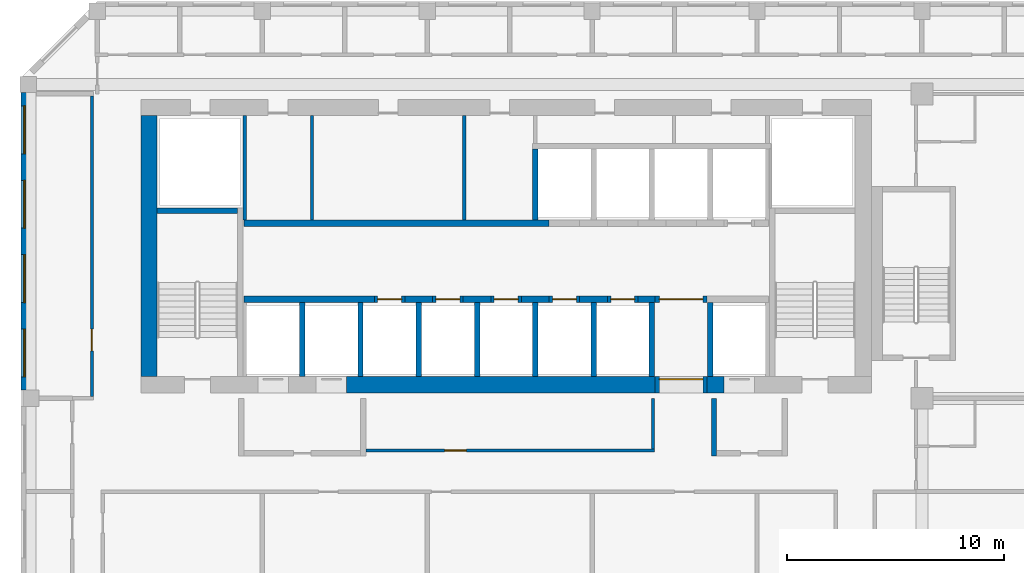
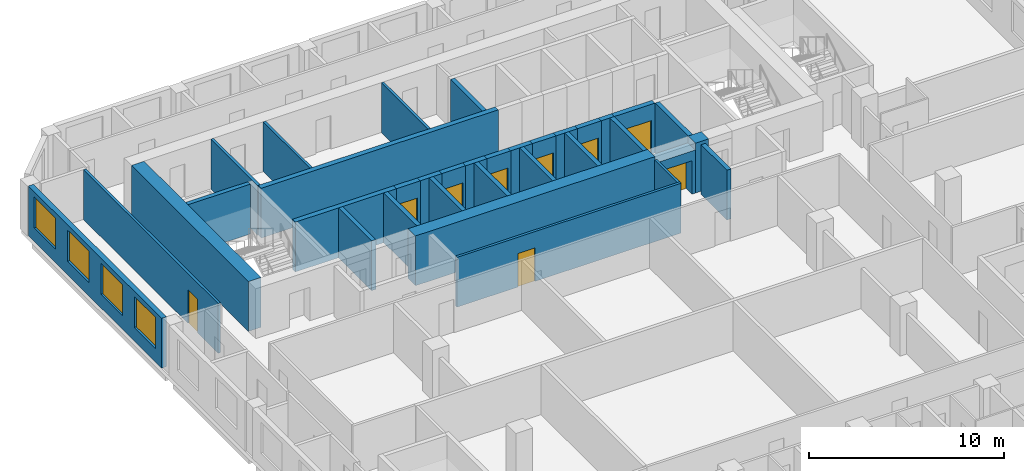
# One storey, part 7 of 22: 35 walls, 9 doors, 4 windows, 13 openings.
"""IFC4 building model written with IfcOpenShell, lengths in metres."""

import ifcopenshell
import ifcopenshell.guid

model = None  # the IFC model being written
_history = None  # IfcOwnerHistory: only IFC2X3 demands one
_inside = {}  # id of a spatial element -> (the spatial element, [elements in it])
_under = {}  # id of a project, library or spatial element -> (it, [spatial elements below it])
_declared = {}  # id of a project -> (the project, [libraries it declares])
_typed = {}  # id of a type object -> (the type object, [elements of that type])
_made_of = {}  # id of a material, layer set ... -> (it, [elements and type objects made of it])


def new_model(schema):
    """Start an empty IFC model of exactly this schema.

    Asked for "IFC4X3", IfcOpenShell would pick the latest addendum, in which some entities
    have other attributes; the version numbers below select the first issue.
    IFC2X3 requires an IfcOwnerHistory on every rooted entity: one is made here for all.
    """
    global model, _history
    if schema == "IFC4X3":
        model = ifcopenshell.file(schema_version=(4, 3, 0, 0))
    else:
        model = ifcopenshell.file(schema=schema)
    _inside.clear()
    _under.clear()
    _declared.clear()
    _typed.clear()
    _made_of.clear()
    _history = None
    if model.schema == "IFC2X3":
        org = make("IfcOrganization", Name="unknown")
        user = make(
            "IfcPersonAndOrganization",
            ThePerson=make("IfcPerson", FamilyName="unknown"),
            TheOrganization=org,
        )
        app = make(
            "IfcApplication",
            ApplicationDeveloper=org,
            Version="unknown",
            ApplicationFullName="unknown",
            ApplicationIdentifier="unknown",
        )
        _history = make(
            "IfcOwnerHistory",
            OwningUser=user,
            OwningApplication=app,
            ChangeAction="ADDED",
            CreationDate=0,
        )
    return model


def make(cls, **values):
    """One entity of the class cls with the attributes given. An attribute that is None is left unset."""
    return model.create_entity(
        cls, **{name: value for name, value in values.items() if value is not None}
    )


def rooted(cls, **values):
    """An entity with a GlobalId (a new one), such as an element, a storey or a relation."""
    return make(cls, GlobalId=ifcopenshell.guid.new(), OwnerHistory=_history, **values)


def si_unit(unit_type, name, prefix=None):
    """IfcSIUnit, for example si_unit("LENGTHUNIT", "METRE", prefix="MILLI")."""
    return make("IfcSIUnit", UnitType=unit_type, Prefix=prefix, Name=name)


def assignment(units):
    """IfcUnitAssignment: the units of a project."""
    return None if units is None else make("IfcUnitAssignment", Units=units)


def point(xyz):
    """IfcCartesianPoint."""
    return None if xyz is None else make("IfcCartesianPoint", Coordinates=xyz)


def direction(xyz):
    """IfcDirection."""
    return None if xyz is None else make("IfcDirection", DirectionRatios=xyz)


def frame(location, z_axis=None, x_axis=None):
    """IfcAxis2Placement3D, a coordinate frame: its origin and axes. An axis left out is left unset."""
    return make(
        "IfcAxis2Placement3D",
        Location=point(location),
        Axis=direction(z_axis),
        RefDirection=direction(x_axis),
    )


def frame_2d(location, x_axis=None):
    """IfcAxis2Placement2D, a coordinate frame in the plane: its origin and x axis."""
    return make(
        "IfcAxis2Placement2D", Location=point(location), RefDirection=direction(x_axis)
    )


def origin():
    """The frame at (0, 0, 0) with its axes left unset."""
    return frame((0.0, 0.0, 0.0))


def place(relative_to, where):
    """IfcLocalPlacement: puts the frame where relative to a parent placement (None: the world)."""
    return make(
        "IfcLocalPlacement", PlacementRelTo=relative_to, RelativePlacement=where
    )


def context(
    kind, dimensions, precision=None, world=None, true_north=None, identifier=None
):
    """IfcGeometricRepresentationContext, for example the 3D "Model" context."""
    return make(
        "IfcGeometricRepresentationContext",
        ContextIdentifier=identifier,
        ContextType=kind,
        CoordinateSpaceDimension=dimensions,
        Precision=precision,
        WorldCoordinateSystem=world,
        TrueNorth=true_north,
    )


def subcontext(parent, identifier, kind, view, scale=None):
    """IfcGeometricRepresentationSubContext, for example "Body" below "Model"."""
    return make(
        "IfcGeometricRepresentationSubContext",
        ContextIdentifier=identifier,
        ContextType=kind,
        ParentContext=parent,
        TargetScale=scale,
        TargetView=view,
    )


def project(units=None, contexts=None):
    """IfcProject with its units and contexts."""
    return rooted(
        "IfcProject",
        Name="project",
        RepresentationContexts=contexts,
        UnitsInContext=assignment(units),
    )


def spatial(cls, under=None, at=None, **own):
    """A site, building, storey or space (cls), placed at a placement, below another one or the project."""
    s = rooted(cls, ObjectPlacement=at, **own)
    if under is not None:
        _under.setdefault(under.id(), (under, []))[1].append(s)
    return s


def profile(cls, at=None, kind="AREA", **sizes):
    """A parametric profile (cls). Its sizes go by their IFC names, for example OverallWidth=200.0."""
    return make(cls, ProfileType=kind, Position=at, **sizes)


def rectangle(**sizes):
    """IfcRectangleProfileDef."""
    return profile("IfcRectangleProfileDef", **sizes)


def extrude(swept, where, along, depth):
    """IfcExtrudedAreaSolid: the profile swept, set in the frame where, extruded along a direction by depth."""
    return make(
        "IfcExtrudedAreaSolid",
        SweptArea=swept,
        Position=where,
        ExtrudedDirection=direction(along),
        Depth=depth,
    )


def shape(context_of_items, identifier, shape_type, items):
    """IfcShapeRepresentation: the items that make up one representation, for example the "Body"."""
    return make(
        "IfcShapeRepresentation",
        ContextOfItems=context_of_items,
        RepresentationIdentifier=identifier,
        RepresentationType=shape_type,
        Items=items,
    )


def source(mapping_origin, context_of_items, identifier, shape_type, items):
    """IfcRepresentationMap: a shape defined once, which mapped items show again and again."""
    return make(
        "IfcRepresentationMap",
        MappingOrigin=mapping_origin,
        MappedRepresentation=shape(context_of_items, identifier, shape_type, items),
    )


def transform(
    local_origin,
    x_axis=None,
    y_axis=None,
    z_axis=None,
    scale=None,
    scale2=None,
    scale3=None,
    uniform=True,
):
    """IfcCartesianTransformationOperator3D, or its non-uniform kind. x_axis, y_axis, z_axis: its Axis1, 2, 3."""
    if uniform:
        return make(
            "IfcCartesianTransformationOperator3D",
            Axis1=direction(x_axis),
            Axis2=direction(y_axis),
            LocalOrigin=point(local_origin),
            Scale=scale,
            Axis3=direction(z_axis),
        )
    return make(
        "IfcCartesianTransformationOperator3DnonUniform",
        Axis1=direction(x_axis),
        Axis2=direction(y_axis),
        LocalOrigin=point(local_origin),
        Scale=scale,
        Axis3=direction(z_axis),
        Scale2=scale2,
        Scale3=scale3,
    )


def mapped(mapping_source, mapping_target):
    """IfcMappedItem: shows the shape of a source again, moved by a transform."""
    return make(
        "IfcMappedItem", MappingSource=mapping_source, MappingTarget=mapping_target
    )


def material(Name=None, Category=None):
    """IfcMaterial."""
    return make("IfcMaterial", Name=Name, Category=Category)


def layer(
    of_material, thickness, ventilated=None, Name=None, Category=None, Priority=None
):
    """IfcMaterialLayer: one layer of a wall or slab, of a material (None: an air gap)."""
    return make(
        "IfcMaterialLayer",
        Material=of_material,
        LayerThickness=thickness,
        IsVentilated=ventilated,
        Name=Name,
        Category=Category,
        Priority=Priority,
    )


def layer_set(layers, Name=None):
    """IfcMaterialLayerSet."""
    return make("IfcMaterialLayerSet", MaterialLayers=layers, LayerSetName=Name)


def made_of(thing, what):
    """Note that an element or type object is made of a material, layer set ...; save() writes the relation."""
    if what is not None:
        _made_of.setdefault(what.id(), (what, []))[1].append(thing)
    return thing


def type_object(cls, material=None, **own):
    """A type object (cls), such as IfcWallType, which elements share."""
    return made_of(rooted(cls, **own), material)


def element(
    cls,
    number,
    at=None,
    inside=None,
    cuts=None,
    type_object=None,
    material=None,
    context=None,
    identifier="Body",
    shape_type=None,
    held_by="IfcProductDefinitionShape",
    body=None,
    shapes=None,
    **own,
):
    """One element of the class cls, such as IfcWall. Its Tag is "e" and its number.

    at: its placement. inside: the storey or other place that contains it. cuts: it is an
    opening in that element (IfcRelVoidsElement). A single representation is given by context,
    identifier, shape_type and body (its items); several are given by shapes. held_by: the class
    of the entity that holds the representations. save() writes the other relations.
    """
    e = rooted(cls, Tag="e%d" % number, ObjectPlacement=at, **own)
    if body is not None:
        shapes = [shape(context, identifier, shape_type, body)]
    if shapes is not None:
        e.Representation = make(held_by, Representations=shapes)
    if inside is not None:
        _inside.setdefault(inside.id(), (inside, []))[1].append(e)
    if cuts is not None:
        rooted(
            "IfcRelVoidsElement", RelatingBuildingElement=cuts, RelatedOpeningElement=e
        )
    if type_object is not None:
        _typed.setdefault(type_object.id(), (type_object, []))[1].append(e)
    return made_of(e, material)


def fill(opening, filler):
    """IfcRelFillsElement: the door or window that sits in an opening."""
    return rooted(
        "IfcRelFillsElement",
        RelatingOpeningElement=opening,
        RelatedBuildingElement=filler,
    )


def aggregate(whole, parts):
    """IfcRelAggregates: a whole, such as a stair, and the parts it consists of."""
    return rooted("IfcRelAggregates", RelatingObject=whole, RelatedObjects=parts)


def save(model, path):
    """Write the relations noted so far, then the file.

    IfcRelAggregates (storeys below a building ...), IfcRelContainedInSpatialStructure (elements
    in a storey), IfcRelDefinesByType, IfcRelAssociatesMaterial and IfcRelDeclares: one each for
    every whole, place, type object, material and project.
    """
    for whole, parts in _under.values():
        aggregate(whole, parts)
    for where, things in _inside.values():
        rooted(
            "IfcRelContainedInSpatialStructure",
            RelatedElements=things,
            RelatingStructure=where,
        )
    for kind, things in _typed.values():
        rooted("IfcRelDefinesByType", RelatedObjects=things, RelatingType=kind)
    for what, things in _made_of.values():
        rooted("IfcRelAssociatesMaterial", RelatedObjects=things, RelatingMaterial=what)
    for by, libraries in _declared.values():
        rooted("IfcRelDeclares", RelatingContext=by, RelatedDefinitions=libraries)
    model.write(path)


model = new_model("IFC4")

# Units and contexts
model_context = context("Model", 3, precision=1e-05, world=origin(), true_north=direction((0.0, 1.0)))
body_context = subcontext(model_context, "Body", "Model", "MODEL_VIEW")
ifc_project = project(units=[si_unit("LENGTHUNIT", "METRE"), si_unit("AREAUNIT", "SQUARE_METRE"), si_unit("VOLUMEUNIT", "CUBIC_METRE"), si_unit("PLANEANGLEUNIT", "RADIAN"), si_unit("MASSUNIT", "GRAM", prefix="KILO")], contexts=[model_context])

# Site, building, storey
site_placement = place(None, origin())
site = spatial("IfcSite", under=ifc_project, at=site_placement, CompositionType="ELEMENT")
building_placement = place(site_placement, origin())
building = spatial("IfcBuilding", under=site, at=building_placement, Name="Kilnfold Tower and Market Hall", CompositionType="ELEMENT")
storey_placement = place(building_placement, frame((0.0, 0.0, 206.699951171875)))
storey = spatial("IfcBuildingStorey", under=building, at=storey_placement, Name="L50", CompositionType="ELEMENT", Elevation=206.699951171875)

# Wall, opening, door
ifc_material_1 = material(Name="Gypsum board on steel studs", Category="steel")
ifc_layer_1 = layer(ifc_material_1, 0.14990234375)
ifc_layer_set_1 = layer_set([ifc_layer_1], Name="Gypsum board on steel studs")
wall_type_1 = type_object("IfcWallType", Name="WALL CORRIDOR 150", PredefinedType="PARTITIONING", material=ifc_layer_set_1)
wall_1_placement = place(storey_placement, frame((-18.0, 21.89990234375, 0.0), z_axis=(0.0, 0.0, 1.0), x_axis=(0.0, -1.0, 0.0)))
wall_1 = element("IfcWall", 1, at=wall_1_placement, inside=storey, type_object=wall_type_1, Name="Partition LY30.8", PredefinedType="PARTITIONING", context=body_context, shape_type="SweptSolid", body=[
    extrude(rectangle(XDim=13.824951171875, YDim=0.14990234375, at=frame_2d((6.91259765625, 0.0))), origin(), (0.0, 0.0, 1.0), 3.1201171875),
])
opening_1_placement = place(wall_1_placement, frame((10.720947265625, 0.0, 0.0)))
opening_1 = element("IfcOpeningElement", 2, at=opening_1_placement, cuts=wall_1, Name="Opening D4", PredefinedType="OPENING", context=body_context, shape_type="SweptSolid", body=[
    extrude(rectangle(XDim=1.0, YDim=2.10009765625, at=frame_2d((0.5, 1.050048828125))), frame((0.0, 0.0849609375, 0.0), z_axis=(0.0, -1.0, 0.0), x_axis=(1.0, 0.0, 0.0)), (0.0, 0.0, 1.0), 0.169921875),
])
ifc_material_2 = material(Name="Timber veneer door leaf in steel frame", Category="steel")
door_type_1 = type_object("IfcDoorType", Name="DOOR SERVICE 1000 X2100", OperationType="NOTDEFINED", PredefinedType="DOOR", material=ifc_material_2)
door_1_placement = place(opening_1_placement, origin())
door_1 = element("IfcDoor", 3, at=door_1_placement, inside=storey, type_object=door_type_1, Name="Door D4", OperationType="SINGLE_SWING_RIGHT", OverallHeight=2.10009765625, OverallWidth=1.0, PredefinedType="DOOR", context=body_context, shape_type="SweptSolid", body=[
    extrude(rectangle(XDim=1.0, YDim=2.10009765625, at=frame_2d((0.5, 1.050048828125))), frame((0.0, 0.02490234375, 0.0), z_axis=(0.0, -1.0, 0.0), x_axis=(1.0, 0.0, 0.0)), (0.0, 0.0, 1.0), 0.050048828125),
])
fill(opening_1, door_1)

wall_2_placement = place(storey_placement, frame((7.875, 5.60009765625, 0.0), z_axis=(0.0, 0.0, 1.0), x_axis=(-1.0, 0.0, 0.0)))
wall_2 = element("IfcWall", 4, at=wall_2_placement, inside=storey, type_object=wall_type_1, Name="Partition LY30.32", PredefinedType="PARTITIONING", context=body_context, shape_type="SweptSolid", body=[
    extrude(rectangle(XDim=13.27490234375, YDim=0.14990234375, at=frame_2d((6.637451171875, 0.0))), origin(), (0.0, 0.0, 1.0), 3.1201171875),
])
opening_2_placement = place(wall_2_placement, frame((8.653076171875, 0.0, 0.0)))
opening_2 = element("IfcOpeningElement", 5, at=opening_2_placement, cuts=wall_2, Name="Opening D1", PredefinedType="OPENING", context=body_context, shape_type="SweptSolid", body=[
    extrude(rectangle(XDim=1.0, YDim=2.10009765625, at=frame_2d((0.5, 1.050048828125))), frame((0.0, 0.0849609375, 0.0), z_axis=(0.0, -1.0, 0.0), x_axis=(1.0, 0.0, 0.0)), (0.0, 0.0, 1.0), 0.169921875),
])
ifc_material_3 = material(Name="Timber veneer door leaf in steel frame", Category="steel")
door_type_2 = type_object("IfcDoorType", Name="DOOR ENTRY 1000 X2100", OperationType="NOTDEFINED", PredefinedType="DOOR", material=ifc_material_3)
door_2_placement = place(opening_2_placement, origin())
door_2 = element("IfcDoor", 6, at=door_2_placement, inside=storey, type_object=door_type_2, Name="Door D1", OperationType="SINGLE_SWING_LEFT", OverallHeight=2.10009765625, OverallWidth=1.0, PredefinedType="DOOR", context=body_context, shape_type="SweptSolid", body=[
    extrude(rectangle(XDim=1.0, YDim=2.10009765625, at=frame_2d((0.5, 1.050048828125))), frame((0.0, 0.02490234375, 0.0), z_axis=(0.0, -1.0, 0.0), x_axis=(1.0, 0.0, 0.0)), (0.0, 0.0, 1.0), 0.050048828125),
])
fill(opening_2, door_2)

# Walls
wall_3_placement = place(storey_placement, frame((7.800048828125, 8.0, 0.0), z_axis=(0.0, 0.0, 1.0), x_axis=(0.0, -1.0, 0.0)))
element("IfcWall", 7, at=wall_3_placement, inside=storey, type_object=wall_type_1, Name="Partition LY30.33", PredefinedType="PARTITIONING", context=body_context, shape_type="SweptSolid", body=[
    extrude(rectangle(XDim=2.324951171875, YDim=0.14990234375, at=frame_2d((1.16259765625, 0.0))), origin(), (0.0, 0.0, 1.0), 3.1201171875),
])
ifc_material_4 = material(Name="Concrete C60", Category="concrete")
ifc_layer_2 = layer(ifc_material_4, 0.25)
ifc_layer_set_2 = layer_set([ifc_layer_2], Name="Concrete C60")
wall_type_2 = type_object("IfcWallType", Name="CORE WALL 250 C60", PredefinedType="SHEAR", material=ifc_layer_set_2)
shared_shape_1 = source(origin(), body_context, "Body", "SweptSolid", [
    extrude(rectangle(XDim=3.699951171875, YDim=0.25, at=frame_2d((1.85009765625, 0.0))), origin(), (0.0, 0.0, 1.0), 3.1201171875),
])
wall_4_placement = place(storey_placement, frame((-15.0, 16.625, 0.0), z_axis=(0.0, 0.0, 1.0), x_axis=(1.0, 0.0, 0.0)))
element("IfcWall", 8, at=wall_4_placement, inside=storey, type_object=wall_type_2, Name="Stair enclosure ST1", PredefinedType="SHEAR", context=body_context, shape_type="MappedRepresentation", body=[
    mapped(shared_shape_1, transform((0.0, 0.0, 0.0))),
])
ifc_material_5 = material(Name="Concrete C60", Category="concrete")
ifc_layer_3 = layer(ifc_material_5, 0.300048828125)
ifc_layer_set_3 = layer_set([ifc_layer_3], Name="Concrete C60")
wall_type_3 = type_object("IfcWallType", Name="CORE WALL 300 C60", PredefinedType="SHEAR", material=ifc_layer_set_3)
shared_shape_2 = source(origin(), body_context, "Body", "SweptSolid", [
    extrude(rectangle(XDim=6.0, YDim=0.300048828125, at=frame_2d((3.0, 0.0))), origin(), (0.0, 0.0, 1.0), 3.1201171875),
])
wall_5_placement = place(storey_placement, frame((-11.010009765625, 12.550048828125, 0.0), z_axis=(0.0, 0.0, 1.0), x_axis=(1.0, 0.0, 0.0)))
element("IfcWall", 9, at=wall_5_placement, inside=storey, type_object=wall_type_3, Name="Core spine wall", PredefinedType="SHEAR", context=body_context, shape_type="MappedRepresentation", body=[
    mapped(shared_shape_2, transform((0.0, 0.0, 0.0))),
])
shared_shape_3 = source(origin(), body_context, "Body", "SweptSolid", [
    extrude(rectangle(XDim=1.280029296875, YDim=0.300048828125, at=frame_2d((0.64013671875, 0.0))), origin(), (0.0, 0.0, 1.0), 3.1201171875),
])
for number, where, z_axis, x_axis, name in (
    (10, (-3.610107421875, 12.550048828125, 0.0), (0.0, 0.0, 1.0), (1.0, 0.0, 0.0), "Core spine wall"),
    (11, (-0.929931640625, 12.550048828125, 0.0), (0.0, 0.0, 1.0), (1.0, 0.0, 0.0), "Core spine wall"),
    (12, (1.75, 12.550048828125, 0.0), (0.0, 0.0, 1.0), (1.0, 0.0, 0.0), "Core spine wall"),
    (13, (4.429931640625, 12.550048828125, 0.0), (0.0, 0.0, 1.0), (1.0, 0.0, 0.0), "Core spine wall"),
):
    element("IfcWall", number, at=place(storey_placement, frame(where, z_axis=z_axis, x_axis=x_axis)), inside=storey, type_object=wall_type_3, Name=name, PredefinedType="SHEAR", context=body_context, shape_type="MappedRepresentation", body=[
        mapped(shared_shape_3, transform((0.0, 0.0, 0.0))),
    ])
shared_shape_4 = source(origin(), body_context, "Body", "SweptSolid", [
    extrude(rectangle(XDim=0.77978515625, YDim=0.300048828125, at=frame_2d((0.389892578125, 0.0))), origin(), (0.0, 0.0, 1.0), 3.1201171875),
])
wall_6_placement = place(storey_placement, frame((7.110107421875, 12.550048828125, 0.0), z_axis=(0.0, 0.0, 1.0), x_axis=(1.0, 0.0, 0.0)))
element("IfcWall", 14, at=wall_6_placement, inside=storey, type_object=wall_type_3, Name="Core spine wall", PredefinedType="SHEAR", context=body_context, shape_type="MappedRepresentation", body=[
    mapped(shared_shape_4, transform((0.0, 0.0, 0.0))),
])
shared_shape_5 = source(origin(), body_context, "Body", "SweptSolid", [
    extrude(rectangle(XDim=14.0400390625, YDim=0.300048828125, at=frame_2d((7.02001953125, 0.0))), origin(), (0.0, 0.0, 1.0), 3.1201171875),
])
wall_7_placement = place(storey_placement, frame((-11.010009765625, 16.050048828125, 0.0), z_axis=(0.0, 0.0, 1.0), x_axis=(1.0, 0.0, 0.0)))
element("IfcWall", 15, at=wall_7_placement, inside=storey, type_object=wall_type_3, Name="Core spine wall", PredefinedType="SHEAR", context=body_context, shape_type="MappedRepresentation", body=[
    mapped(shared_shape_5, transform((0.0, 0.0, 0.0))),
])
ifc_material_6 = material(Name="Concrete C60", Category="concrete")
ifc_layer_4 = layer(ifc_material_6, 0.75)
ifc_layer_set_4 = layer_set([ifc_layer_4], Name="Concrete C60")
wall_type_4 = type_object("IfcWallType", Name="CORE WALL 750 C60", PredefinedType="SHEAR", material=ifc_layer_set_4)
shared_shape_6 = source(origin(), body_context, "Body", "SweptSolid", [
    extrude(rectangle(XDim=14.179931640625, YDim=0.75, at=frame_2d((7.08984375, 0.0))), origin(), (0.0, 0.0, 1.0), 3.1201171875),
])
wall_8_placement = place(storey_placement, frame((-6.2900390625, 8.625, 0.0), z_axis=(0.0, 0.0, 1.0), x_axis=(1.0, 0.0, 0.0)))
element("IfcWall", 16, at=wall_8_placement, inside=storey, type_object=wall_type_4, Name="Core outer wall south", PredefinedType="SHEAR", context=body_context, shape_type="MappedRepresentation", body=[
    mapped(shared_shape_6, transform((0.0, 0.0, 0.0))),
])
shared_shape_7 = source(origin(), body_context, "Body", "SweptSolid", [
    extrude(rectangle(XDim=0.780029296875, YDim=0.75, at=frame_2d((0.39013671875, 0.0))), origin(), (0.0, 0.0, 1.0), 3.1201171875),
])
wall_9_placement = place(storey_placement, frame((10.2900390625, 8.625, 0.0), z_axis=(0.0, 0.0, 1.0), x_axis=(1.0, 0.0, 0.0)))
element("IfcWall", 17, at=wall_9_placement, inside=storey, type_object=wall_type_4, Name="Core outer wall south", PredefinedType="SHEAR", context=body_context, shape_type="MappedRepresentation", body=[
    mapped(shared_shape_7, transform((0.0, 0.0, 0.0))),
])
shared_shape_8 = source(origin(), body_context, "Body", "SweptSolid", [
    extrude(rectangle(XDim=12.0, YDim=0.75, at=frame_2d((6.0, 0.0))), origin(), (0.0, 0.0, 1.0), 3.1201171875),
])
wall_10_placement = place(storey_placement, frame((-15.375, 9.0, 0.0), z_axis=(0.0, 0.0, 1.0), x_axis=(0.0, 1.0, 0.0)))
element("IfcWall", 18, at=wall_10_placement, inside=storey, type_object=wall_type_4, Name="Core outer wall west", PredefinedType="SHEAR", context=body_context, shape_type="MappedRepresentation", body=[
    mapped(shared_shape_8, transform((0.0, 0.0, 0.0))),
])

# Wall, openings, windows
ifc_material_7 = material(Name="Precast concrete C50/60", Category="concrete")
ifc_layer_5 = layer(ifc_material_7, 0.300048828125)
ifc_layer_set_5 = layer_set([ifc_layer_5], Name="Precast concrete C50/60")
wall_type_5 = type_object("IfcWallType", Name="PRECAST WALL 300", PredefinedType="SOLIDWALL", material=ifc_layer_set_5)
shared_shape_9 = source(origin(), body_context, "Body", "SweptSolid", [
    extrude(rectangle(XDim=13.681884765625, YDim=0.300048828125, at=frame_2d((6.8408203125, 0.0))), origin(), (0.0, 0.0, 1.0), 3.1201171875),
])
wall_11_placement = place(storey_placement, frame((-21.10009765625, 22.056884765625, 0.0), z_axis=(0.0, 0.0, 1.0), x_axis=(0.0, -1.0, 0.0)))
wall_11 = element("IfcWall", 19, at=wall_11_placement, inside=storey, type_object=wall_type_5, Name="External wall L50 W", PredefinedType="SOLIDWALL", context=body_context, shape_type="MappedRepresentation", body=[
    mapped(shared_shape_9, transform((0.0, 0.0, 0.0))),
])
opening_3_placement = place(wall_11_placement, frame((0.610107421875, 0.0, 0.85009765625)))
opening_3 = element("IfcOpeningElement", 20, at=opening_3_placement, cuts=wall_11, Name="Opening W2", PredefinedType="OPENING", context=body_context, shape_type="SweptSolid", body=[
    extrude(rectangle(XDim=2.199951171875, YDim=1.949951171875, at=frame_2d((1.10009765625, 0.97509765625))), frame((0.0, 0.16015625, 0.0), z_axis=(0.0, -1.0, 0.0), x_axis=(1.0, 0.0, 0.0)), (0.0, 0.0, 1.0), 0.320068359375),
])
opening_4_placement = place(wall_11_placement, frame((4.030517578125, 0.0, 0.85009765625)))
opening_4 = element("IfcOpeningElement", 21, at=opening_4_placement, cuts=wall_11, Name="Opening W2", PredefinedType="OPENING", context=body_context, shape_type="SweptSolid", body=[
    extrude(rectangle(XDim=2.199951171875, YDim=1.949951171875, at=frame_2d((1.10009765625, 0.97509765625))), frame((0.0, 0.16015625, 0.0), z_axis=(0.0, -1.0, 0.0), x_axis=(1.0, 0.0, 0.0)), (0.0, 0.0, 1.0), 0.320068359375),
])
opening_5_placement = place(wall_11_placement, frame((7.451171875, 0.0, 0.85009765625)))
opening_5 = element("IfcOpeningElement", 22, at=opening_5_placement, cuts=wall_11, Name="Opening W2", PredefinedType="OPENING", context=body_context, shape_type="SweptSolid", body=[
    extrude(rectangle(XDim=2.199951171875, YDim=1.949951171875, at=frame_2d((1.10009765625, 0.97509765625))), frame((0.0, 0.16015625, 0.0), z_axis=(0.0, -1.0, 0.0), x_axis=(1.0, 0.0, 0.0)), (0.0, 0.0, 1.0), 0.320068359375),
])
opening_6_placement = place(wall_11_placement, frame((10.87158203125, 0.0, 0.85009765625)))
opening_6 = element("IfcOpeningElement", 23, at=opening_6_placement, cuts=wall_11, Name="Opening W2", PredefinedType="OPENING", context=body_context, shape_type="SweptSolid", body=[
    extrude(rectangle(XDim=2.199951171875, YDim=1.949951171875, at=frame_2d((1.10009765625, 0.97509765625))), frame((0.0, 0.16015625, 0.0), z_axis=(0.0, -1.0, 0.0), x_axis=(1.0, 0.0, 0.0)), (0.0, 0.0, 1.0), 0.320068359375),
])
ifc_material_8 = material(Name="Aluminium frame and double glazing", Category="aluminium")
window_type = type_object("IfcWindowType", Name="WINDOW W2 2200X1950", PartitioningType="SINGLE_PANEL", PredefinedType="WINDOW", material=ifc_material_8)
window_1_placement = place(opening_3_placement, origin())
window_1 = element("IfcWindow", 24, at=window_1_placement, inside=storey, type_object=window_type, Name="Window W2 L50 W-1", OverallHeight=1.949951171875, OverallWidth=2.199951171875, PartitioningType="SINGLE_PANEL", PredefinedType="WINDOW", context=body_context, shape_type="SweptSolid", body=[
    extrude(rectangle(XDim=2.199951171875, YDim=1.949951171875, at=frame_2d((1.10009765625, 0.97509765625))), frame((0.0, 0.030029296875, 0.0), z_axis=(0.0, -1.0, 0.0), x_axis=(1.0, 0.0, 0.0)), (0.0, 0.0, 1.0), 0.06005859375),
])
fill(opening_3, window_1)
window_2_placement = place(opening_4_placement, origin())
window_2 = element("IfcWindow", 25, at=window_2_placement, inside=storey, type_object=window_type, Name="Window W2 L50 W-2", OverallHeight=1.949951171875, OverallWidth=2.199951171875, PartitioningType="SINGLE_PANEL", PredefinedType="WINDOW", context=body_context, shape_type="SweptSolid", body=[
    extrude(rectangle(XDim=2.199951171875, YDim=1.949951171875, at=frame_2d((1.10009765625, 0.97509765625))), frame((0.0, 0.030029296875, 0.0), z_axis=(0.0, -1.0, 0.0), x_axis=(1.0, 0.0, 0.0)), (0.0, 0.0, 1.0), 0.06005859375),
])
fill(opening_4, window_2)
window_3_placement = place(opening_5_placement, origin())
window_3 = element("IfcWindow", 26, at=window_3_placement, inside=storey, type_object=window_type, Name="Window W2 L50 W-3", OverallHeight=1.949951171875, OverallWidth=2.199951171875, PartitioningType="SINGLE_PANEL", PredefinedType="WINDOW", context=body_context, shape_type="SweptSolid", body=[
    extrude(rectangle(XDim=2.199951171875, YDim=1.949951171875, at=frame_2d((1.10009765625, 0.97509765625))), frame((0.0, 0.030029296875, 0.0), z_axis=(0.0, -1.0, 0.0), x_axis=(1.0, 0.0, 0.0)), (0.0, 0.0, 1.0), 0.06005859375),
])
fill(opening_5, window_3)
window_4_placement = place(opening_6_placement, origin())
window_4 = element("IfcWindow", 27, at=window_4_placement, inside=storey, type_object=window_type, Name="Window W2 L50 W-4", OverallHeight=1.949951171875, OverallWidth=2.199951171875, PartitioningType="SINGLE_PANEL", PredefinedType="WINDOW", context=body_context, shape_type="SweptSolid", body=[
    extrude(rectangle(XDim=2.199951171875, YDim=1.949951171875, at=frame_2d((1.10009765625, 0.97509765625))), frame((0.0, 0.030029296875, 0.0), z_axis=(0.0, -1.0, 0.0), x_axis=(1.0, 0.0, 0.0)), (0.0, 0.0, 1.0), 0.06005859375),
])
fill(opening_6, window_4)

# Wall, opening, door
ifc_material_9 = material(Name="Gypsum shaft wall system")
ifc_layer_6 = layer(ifc_material_9, 0.300048828125)
ifc_layer_set_6 = layer_set([ifc_layer_6], Name="Gypsum shaft wall system")
wall_type_6 = type_object("IfcWallType", Name="SHAFT WALL 300", PredefinedType="PARTITIONING", material=ifc_layer_set_6)
shared_shape_10 = source(origin(), body_context, "Body", "SweptSolid", [
    extrude(rectangle(XDim=1.39990234375, YDim=0.300048828125, at=frame_2d((0.699951171875, 0.0))), origin(), (0.0, 0.0, 1.0), 3.1201171875),
])
wall_12_placement = place(storey_placement, frame((-5.010009765625, 12.550048828125, 0.0), z_axis=(0.0, 0.0, 1.0), x_axis=(1.0, 0.0, 0.0)))
wall_12 = element("IfcWall", 28, at=wall_12_placement, inside=storey, type_object=wall_type_6, Name="Lift shaft front wall", PredefinedType="PARTITIONING", context=body_context, shape_type="MappedRepresentation", body=[
    mapped(shared_shape_10, transform((0.0, 0.0, 0.0))),
])
opening_7_placement = place(wall_12_placement, frame((0.14990234375, 0.0, 0.0)))
opening_7 = element("IfcOpeningElement", 29, at=opening_7_placement, cuts=wall_12, Name="Opening LD2", PredefinedType="OPENING", context=body_context, shape_type="SweptSolid", body=[
    extrude(rectangle(XDim=1.10009765625, YDim=2.10009765625, at=frame_2d((0.550048828125, 1.050048828125))), frame((0.0, 0.16015625, 0.0), z_axis=(0.0, -1.0, 0.0), x_axis=(1.0, 0.0, 0.0)), (0.0, 0.0, 1.0), 0.320068359375),
])
ifc_material_10 = material(Name="Steel door set with fire-resisting leaf", Category="steel")
door_type_3 = type_object("IfcDoorType", Name="LANDING DOOR 1100X2100", OperationType="NOTDEFINED", PredefinedType="DOOR", material=ifc_material_10)
door_3_placement = place(opening_7_placement, origin())
door_3 = element("IfcDoor", 30, at=door_3_placement, inside=storey, type_object=door_type_3, Name="Landing door MR1", OperationType="DOUBLE_DOOR_SLIDING", OverallHeight=2.10009765625, OverallWidth=1.10009765625, PredefinedType="DOOR", context=body_context, shape_type="SweptSolid", body=[
    extrude(rectangle(XDim=1.10009765625, YDim=2.10009765625, at=frame_2d((0.550048828125, 1.050048828125))), frame((0.0, 0.02490234375, 0.0), z_axis=(0.0, -1.0, 0.0), x_axis=(1.0, 0.0, 0.0)), (0.0, 0.0, 1.0), 0.050048828125),
])
fill(opening_7, door_3)

wall_13_placement = place(storey_placement, frame((0.35009765625, 12.550048828125, 0.0), z_axis=(0.0, 0.0, 1.0), x_axis=(1.0, 0.0, 0.0)))
wall_13 = element("IfcWall", 31, at=wall_13_placement, inside=storey, type_object=wall_type_6, Name="Lift shaft front wall", PredefinedType="PARTITIONING", context=body_context, shape_type="MappedRepresentation", body=[
    mapped(shared_shape_10, transform((0.0, 0.0, 0.0))),
])
opening_8_placement = place(wall_13_placement, frame((0.14990234375, 0.0, 0.0)))
opening_8 = element("IfcOpeningElement", 32, at=opening_8_placement, cuts=wall_13, Name="Opening LD2", PredefinedType="OPENING", context=body_context, shape_type="SweptSolid", body=[
    extrude(rectangle(XDim=1.10009765625, YDim=2.10009765625, at=frame_2d((0.550048828125, 1.050048828125))), frame((0.0, 0.16015625, 0.0), z_axis=(0.0, -1.0, 0.0), x_axis=(1.0, 0.0, 0.0)), (0.0, 0.0, 1.0), 0.320068359375),
])
door_4_placement = place(opening_8_placement, origin())
door_4 = element("IfcDoor", 33, at=door_4_placement, inside=storey, type_object=door_type_3, Name="Landing door MR3", OperationType="DOUBLE_DOOR_SLIDING", OverallHeight=2.10009765625, OverallWidth=1.10009765625, PredefinedType="DOOR", context=body_context, shape_type="SweptSolid", body=[
    extrude(rectangle(XDim=1.10009765625, YDim=2.10009765625, at=frame_2d((0.550048828125, 1.050048828125))), frame((0.0, 0.02490234375, 0.0), z_axis=(0.0, -1.0, 0.0), x_axis=(1.0, 0.0, 0.0)), (0.0, 0.0, 1.0), 0.050048828125),
])
fill(opening_8, door_4)

wall_14_placement = place(storey_placement, frame((3.030029296875, 12.550048828125, 0.0), z_axis=(0.0, 0.0, 1.0), x_axis=(1.0, 0.0, 0.0)))
wall_14 = element("IfcWall", 34, at=wall_14_placement, inside=storey, type_object=wall_type_6, Name="Lift shaft front wall", PredefinedType="PARTITIONING", context=body_context, shape_type="MappedRepresentation", body=[
    mapped(shared_shape_10, transform((0.0, 0.0, 0.0))),
])
opening_9_placement = place(wall_14_placement, frame((0.14990234375, 0.0, 0.0)))
opening_9 = element("IfcOpeningElement", 35, at=opening_9_placement, cuts=wall_14, Name="Opening LD2", PredefinedType="OPENING", context=body_context, shape_type="SweptSolid", body=[
    extrude(rectangle(XDim=1.10009765625, YDim=2.10009765625, at=frame_2d((0.550048828125, 1.050048828125))), frame((0.0, 0.16015625, 0.0), z_axis=(0.0, -1.0, 0.0), x_axis=(1.0, 0.0, 0.0)), (0.0, 0.0, 1.0), 0.320068359375),
])
door_5_placement = place(opening_9_placement, origin())
door_5 = element("IfcDoor", 36, at=door_5_placement, inside=storey, type_object=door_type_3, Name="Landing door MR4", OperationType="DOUBLE_DOOR_SLIDING", OverallHeight=2.10009765625, OverallWidth=1.10009765625, PredefinedType="DOOR", context=body_context, shape_type="SweptSolid", body=[
    extrude(rectangle(XDim=1.10009765625, YDim=2.10009765625, at=frame_2d((0.550048828125, 1.050048828125))), frame((0.0, 0.02490234375, 0.0), z_axis=(0.0, -1.0, 0.0), x_axis=(1.0, 0.0, 0.0)), (0.0, 0.0, 1.0), 0.050048828125),
])
fill(opening_9, door_5)

shared_shape_11 = source(origin(), body_context, "Body", "SweptSolid", [
    extrude(rectangle(XDim=1.400146484375, YDim=0.300048828125, at=frame_2d((0.7001953125, 0.0))), origin(), (0.0, 0.0, 1.0), 3.1201171875),
])
wall_15_placement = place(storey_placement, frame((-2.330078125, 12.550048828125, 0.0), z_axis=(0.0, 0.0, 1.0), x_axis=(1.0, 0.0, 0.0)))
wall_15 = element("IfcWall", 37, at=wall_15_placement, inside=storey, type_object=wall_type_6, Name="Lift shaft front wall", PredefinedType="PARTITIONING", context=body_context, shape_type="MappedRepresentation", body=[
    mapped(shared_shape_11, transform((0.0, 0.0, 0.0))),
])
opening_10_placement = place(wall_15_placement, frame((0.14990234375, 0.0, 0.0)))
opening_10 = element("IfcOpeningElement", 38, at=opening_10_placement, cuts=wall_15, Name="Opening LD2", PredefinedType="OPENING", context=body_context, shape_type="SweptSolid", body=[
    extrude(rectangle(XDim=1.10009765625, YDim=2.10009765625, at=frame_2d((0.550048828125, 1.050048828125))), frame((0.0, 0.16015625, 0.0), z_axis=(0.0, -1.0, 0.0), x_axis=(1.0, 0.0, 0.0)), (0.0, 0.0, 1.0), 0.320068359375),
])
door_6_placement = place(opening_10_placement, origin())
door_6 = element("IfcDoor", 39, at=door_6_placement, inside=storey, type_object=door_type_3, Name="Landing door MR2", OperationType="DOUBLE_DOOR_SLIDING", OverallHeight=2.10009765625, OverallWidth=1.10009765625, PredefinedType="DOOR", context=body_context, shape_type="SweptSolid", body=[
    extrude(rectangle(XDim=1.10009765625, YDim=2.10009765625, at=frame_2d((0.550048828125, 1.050048828125))), frame((0.0, 0.02490234375, 0.0), z_axis=(0.0, -1.0, 0.0), x_axis=(1.0, 0.0, 0.0)), (0.0, 0.0, 1.0), 0.050048828125),
])
fill(opening_10, door_6)

wall_16_placement = place(storey_placement, frame((5.7099609375, 12.550048828125, 0.0), z_axis=(0.0, 0.0, 1.0), x_axis=(1.0, 0.0, 0.0)))
wall_16 = element("IfcWall", 40, at=wall_16_placement, inside=storey, type_object=wall_type_6, Name="Lift shaft front wall", PredefinedType="PARTITIONING", context=body_context, shape_type="MappedRepresentation", body=[
    mapped(shared_shape_11, transform((0.0, 0.0, 0.0))),
])
opening_11_placement = place(wall_16_placement, frame((0.14990234375, 0.0, 0.0)))
opening_11 = element("IfcOpeningElement", 41, at=opening_11_placement, cuts=wall_16, Name="Opening LD2", PredefinedType="OPENING", context=body_context, shape_type="SweptSolid", body=[
    extrude(rectangle(XDim=1.10009765625, YDim=2.10009765625, at=frame_2d((0.550048828125, 1.050048828125))), frame((0.0, 0.16015625, 0.0), z_axis=(0.0, -1.0, 0.0), x_axis=(1.0, 0.0, 0.0)), (0.0, 0.0, 1.0), 0.320068359375),
])
door_7_placement = place(opening_11_placement, origin())
door_7 = element("IfcDoor", 42, at=door_7_placement, inside=storey, type_object=door_type_3, Name="Landing door MR5", OperationType="DOUBLE_DOOR_SLIDING", OverallHeight=2.10009765625, OverallWidth=1.10009765625, PredefinedType="DOOR", context=body_context, shape_type="SweptSolid", body=[
    extrude(rectangle(XDim=1.10009765625, YDim=2.10009765625, at=frame_2d((0.550048828125, 1.050048828125))), frame((0.0, 0.02490234375, 0.0), z_axis=(0.0, -1.0, 0.0), x_axis=(1.0, 0.0, 0.0)), (0.0, 0.0, 1.0), 0.050048828125),
])
fill(opening_11, door_7)

shared_shape_12 = source(origin(), body_context, "Body", "SweptSolid", [
    extrude(rectangle(XDim=2.400146484375, YDim=0.300048828125, at=frame_2d((1.2001953125, 0.0))), origin(), (0.0, 0.0, 1.0), 3.1201171875),
])
wall_17_placement = place(storey_placement, frame((7.889892578125, 12.550048828125, 0.0), z_axis=(0.0, 0.0, 1.0), x_axis=(1.0, 0.0, 0.0)))
wall_17 = element("IfcWall", 43, at=wall_17_placement, inside=storey, type_object=wall_type_6, Name="Lift shaft front wall", PredefinedType="PARTITIONING", context=body_context, shape_type="MappedRepresentation", body=[
    mapped(shared_shape_12, transform((0.0, 0.0, 0.0))),
])
opening_12_placement = place(wall_17_placement, frame((0.199951171875, 0.0, 0.0)))
opening_12 = element("IfcOpeningElement", 44, at=opening_12_placement, cuts=wall_17, Name="Opening VD2", PredefinedType="OPENING", context=body_context, shape_type="SweptSolid", body=[
    extrude(rectangle(XDim=2.0, YDim=2.10009765625, at=frame_2d((1.0, 1.050048828125))), frame((0.0, 0.16015625, 0.0), z_axis=(0.0, -1.0, 0.0), x_axis=(1.0, 0.0, 0.0)), (0.0, 0.0, 1.0), 0.320068359375),
])
ifc_material_11 = material(Name="Steel door set with fire-resisting leaf", Category="steel")
door_type_4 = type_object("IfcDoorType", Name="LIFT LOBBY ENTRANCE DOOR 2000X2100", OperationType="NOTDEFINED", PredefinedType="DOOR", material=ifc_material_11)
door_8_placement = place(opening_12_placement, origin())
door_8 = element("IfcDoor", 45, at=door_8_placement, inside=storey, type_object=door_type_4, Name="Lift lobby entrance door", OperationType="DOUBLE_DOOR_SINGLE_SWING", OverallHeight=2.10009765625, OverallWidth=2.0, PredefinedType="DOOR", context=body_context, shape_type="SweptSolid", body=[
    extrude(rectangle(XDim=2.0, YDim=2.10009765625, at=frame_2d((1.0, 1.050048828125))), frame((0.0, 0.02490234375, 0.0), z_axis=(0.0, -1.0, 0.0), x_axis=(1.0, 0.0, 0.0)), (0.0, 0.0, 1.0), 0.050048828125),
])
fill(opening_12, door_8)

# Walls
ifc_material_12 = material(Name="Gypsum shaft wall system")
ifc_layer_7 = layer(ifc_material_12, 0.25)
ifc_layer_set_7 = layer_set([ifc_layer_7], Name="Gypsum shaft wall system")
wall_type_7 = type_object("IfcWallType", Name="LOBBY WALL 250", PredefinedType="PARTITIONING", material=ifc_layer_set_7)
shared_shape_13 = source(origin(), body_context, "Body", "SweptSolid", [
    extrude(rectangle(XDim=2.64990234375, YDim=0.25, at=frame_2d((1.324951171875, 0.0))), origin(), (0.0, 0.0, 1.0), 3.1201171875),
])
wall_18_placement = place(storey_placement, frame((10.60498046875, 5.35009765625, 0.0), z_axis=(0.0, 0.0, 1.0), x_axis=(0.0, 1.0, 0.0)))
element("IfcWall", 46, at=wall_18_placement, inside=storey, type_object=wall_type_7, Name="Firefighting lobby wall", PredefinedType="PARTITIONING", context=body_context, shape_type="MappedRepresentation", body=[
    mapped(shared_shape_13, transform((0.0, 0.0, 0.0))),
])
ifc_material_13 = material(Name="Gypsum shaft wall system")
ifc_layer_8 = layer(ifc_material_13, 0.1650390625)
ifc_layer_set_8 = layer_set([ifc_layer_8], Name="Gypsum shaft wall system")
wall_type_8 = type_object("IfcWallType", Name="SHAFT WALL 165", PredefinedType="PARTITIONING", material=ifc_layer_set_8)
shared_shape_14 = source(origin(), body_context, "Body", "SweptSolid", [
    extrude(rectangle(XDim=4.800048828125, YDim=0.1650390625, at=frame_2d((2.39990234375, 0.0))), origin(), (0.0, 0.0, 1.0), 3.1201171875),
])
wall_19_placement = place(storey_placement, frame((-10.967529296875, 16.199951171875, 0.0), z_axis=(0.0, 0.0, 1.0), x_axis=(0.0, 1.0, 0.0)))
element("IfcWall", 47, at=wall_19_placement, inside=storey, type_object=wall_type_8, Name="Lift shaft wall", PredefinedType="PARTITIONING", context=body_context, shape_type="MappedRepresentation", body=[
    mapped(shared_shape_14, transform((0.0, 0.0, 0.0))),
])
ifc_material_14 = material(Name="Gypsum shaft wall system")
ifc_layer_9 = layer(ifc_material_14, 0.25)
ifc_layer_set_9 = layer_set([ifc_layer_9], Name="Gypsum shaft wall system")
wall_type_9 = type_object("IfcWallType", Name="SHAFT WALL 250", PredefinedType="PARTITIONING", material=ifc_layer_set_9)
shared_shape_15 = source(origin(), body_context, "Body", "SweptSolid", [
    extrude(rectangle(XDim=3.275146484375, YDim=0.25, at=frame_2d((1.6376953125, 0.0))), origin(), (0.0, 0.0, 1.0), 3.1201171875),
])
wall_20_placement = place(storey_placement, frame((2.389892578125, 16.199951171875, 0.0), z_axis=(0.0, 0.0, 1.0), x_axis=(0.0, 1.0, 0.0)))
element("IfcWall", 48, at=wall_20_placement, inside=storey, type_object=wall_type_9, Name="Lift shaft wall", PredefinedType="PARTITIONING", context=body_context, shape_type="MappedRepresentation", body=[
    mapped(shared_shape_15, transform((0.0, 0.0, 0.0))),
])
shared_shape_16 = source(origin(), body_context, "Body", "SweptSolid", [
    extrude(rectangle(XDim=3.39990234375, YDim=0.25, at=frame_2d((1.699951171875, 0.0))), origin(), (0.0, 0.0, 1.0), 3.1201171875),
])
for number, where, z_axis, x_axis, name in (
    (49, (10.429931640625, 9.0, 0.0), (0.0, 0.0, 1.0), (0.0, 1.0, 0.0), "Lift shaft wall"),
    (50, (2.389892578125, 9.0, 0.0), (0.0, 0.0, 1.0), (0.0, 1.0, 0.0), "Lift shaft wall"),
    (51, (5.070068359375, 9.0, 0.0), (0.0, 0.0, 1.0), (0.0, 1.0, 0.0), "Lift shaft wall"),
    (52, (7.75, 9.0, 0.0), (0.0, 0.0, 1.0), (0.0, 1.0, 0.0), "Lift shaft wall"),
    (53, (-0.2900390625, 9.0, 0.0), (0.0, 0.0, 1.0), (0.0, 1.0, 0.0), "Lift shaft wall"),
    (54, (-2.969970703125, 9.0, 0.0), (0.0, 0.0, 1.0), (0.0, 1.0, 0.0), "Lift shaft wall"),
    (55, (-5.64990234375, 9.0, 0.0), (0.0, 0.0, 1.0), (0.0, 1.0, 0.0), "Lift shaft wall"),
    (56, (-8.330078125, 9.0, 0.0), (0.0, 0.0, 1.0), (0.0, 1.0, 0.0), "Lift shaft wall"),
):
    element("IfcWall", number, at=place(storey_placement, frame(where, z_axis=z_axis, x_axis=x_axis)), inside=storey, type_object=wall_type_9, Name=name, PredefinedType="PARTITIONING", context=body_context, shape_type="MappedRepresentation", body=[
        mapped(shared_shape_16, transform((0.0, 0.0, 0.0))),
    ])
ifc_material_15 = material(Name="Gypsum shaft wall system")
ifc_layer_10 = layer(ifc_material_15, 0.14990234375)
ifc_layer_set_10 = layer_set([ifc_layer_10], Name="Gypsum shaft wall system")
wall_type_10 = type_object("IfcWallType", Name="ROOM WALL 150", PredefinedType="PARTITIONING", material=ifc_layer_set_10)
shared_shape_17 = source(origin(), body_context, "Body", "SweptSolid", [
    extrude(rectangle(XDim=4.800048828125, YDim=0.14990234375, at=frame_2d((2.39990234375, 0.0))), origin(), (0.0, 0.0, 1.0), 3.1201171875),
])
for number, where, z_axis, x_axis, name in (
    (57, (-7.87451171875, 16.199951171875, 0.0), (0.0, 0.0, 1.0), (0.0, 1.0, 0.0), "Core room wall"),
    (58, (-0.879638671875, 16.199951171875, 0.0), (0.0, 0.0, 1.0), (0.0, 1.0, 0.0), "Core room wall"),
):
    element("IfcWall", number, at=place(storey_placement, frame(where, z_axis=z_axis, x_axis=x_axis)), inside=storey, type_object=wall_type_10, Name=name, PredefinedType="PARTITIONING", context=body_context, shape_type="MappedRepresentation", body=[
        mapped(shared_shape_17, transform((0.0, 0.0, 0.0))),
    ])

# Wall, opening, door
ifc_material_16 = material(Name="Gypsum shaft wall system")
ifc_layer_11 = layer(ifc_material_16, 0.75)
ifc_layer_set_11 = layer_set([ifc_layer_11], Name="Gypsum shaft wall system")
wall_type_11 = type_object("IfcWallType", Name="LOBBY WALL 750", PredefinedType="PARTITIONING", material=ifc_layer_set_11)
shared_shape_18 = source(origin(), body_context, "Body", "SweptSolid", [
    extrude(rectangle(XDim=2.400146484375, YDim=0.75, at=frame_2d((1.2001953125, 0.0))), origin(), (0.0, 0.0, 1.0), 2.699951171875),
])
wall_21_placement = place(storey_placement, frame((7.889892578125, 8.625, 0.0), z_axis=(0.0, 0.0, 1.0), x_axis=(1.0, 0.0, 0.0)))
wall_21 = element("IfcWall", 59, at=wall_21_placement, inside=storey, type_object=wall_type_11, Name="Core wall infill", PredefinedType="PARTITIONING", context=body_context, shape_type="MappedRepresentation", body=[
    mapped(shared_shape_18, transform((0.0, 0.0, 0.0))),
])
opening_13_placement = place(wall_21_placement, frame((0.199951171875, 0.0, 0.0)))
opening_13 = element("IfcOpeningElement", 60, at=opening_13_placement, cuts=wall_21, Name="Opening VD2", PredefinedType="OPENING", context=body_context, shape_type="SweptSolid", body=[
    extrude(rectangle(XDim=2.0, YDim=2.10009765625, at=frame_2d((1.0, 1.050048828125))), frame((0.0, 0.385009765625, 0.0), z_axis=(0.0, -1.0, 0.0), x_axis=(1.0, 0.0, 0.0)), (0.0, 0.0, 1.0), 0.77001953125),
])
door_9_placement = place(opening_13_placement, origin())
door_9 = element("IfcDoor", 61, at=door_9_placement, inside=storey, type_object=door_type_4, Name="Lift lobby entrance door", OperationType="DOUBLE_DOOR_SINGLE_SWING", OverallHeight=2.10009765625, OverallWidth=2.0, PredefinedType="DOOR", context=body_context, shape_type="SweptSolid", body=[
    extrude(rectangle(XDim=2.0, YDim=2.10009765625, at=frame_2d((1.0, 1.050048828125))), frame((0.0, 0.27978515625, 0.0), z_axis=(0.0, -1.0, 0.0), x_axis=(1.0, 0.0, 0.0)), (0.0, 0.0, 1.0), 0.050048828125),
])
fill(opening_13, door_9)

save(model, "model.ifc")
